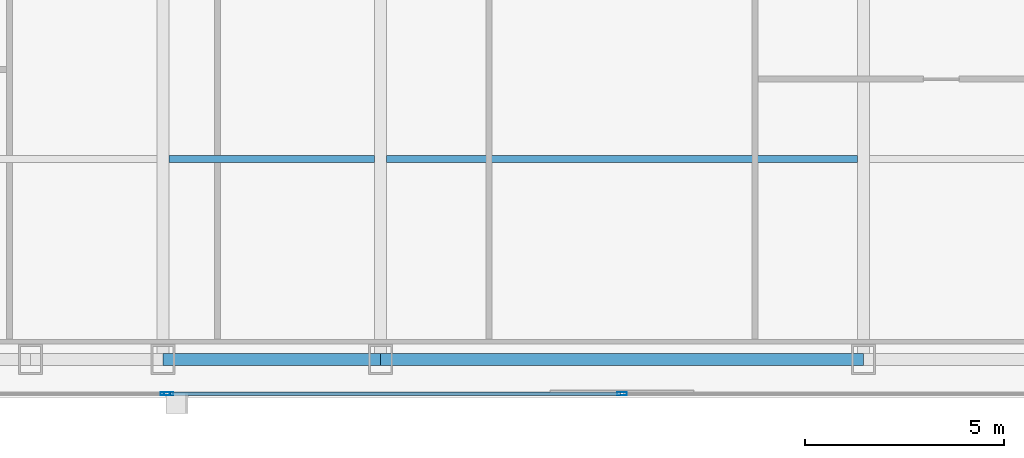
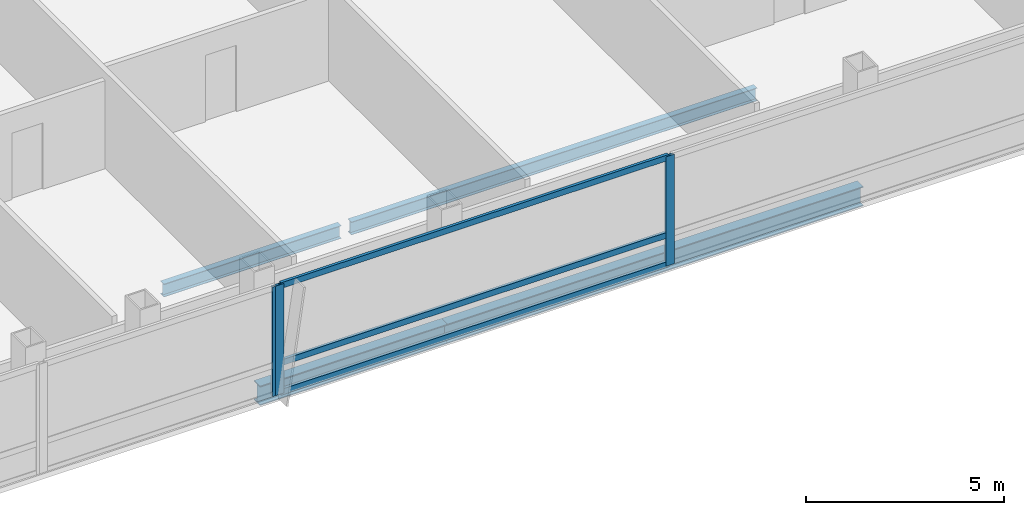
# One storey, part 8 of 30: 6 members, 4 beams, 2 elements without a shape of their own.
"""IFC4 building model written with IfcOpenShell, lengths in metres."""

from ifc_helpers import new_model, si_unit, direction, frame, origin, origin_2d, place, context, subcontext, project, spatial, hollow_rectangle, i_section, extrude, material, material_profile, profile_set, type_object, element, aggregate, save


model = new_model("IFC4")

# Units and contexts
model_context = context("Model", 3, precision=1e-05, world=origin(), true_north=direction((0.0, 1.0)))
body_context = subcontext(model_context, "Body", "Model", "MODEL_VIEW")
ifc_project = project(units=[si_unit("LENGTHUNIT", "METRE"), si_unit("AREAUNIT", "SQUARE_METRE"), si_unit("VOLUMEUNIT", "CUBIC_METRE"), si_unit("PLANEANGLEUNIT", "RADIAN"), si_unit("MASSUNIT", "GRAM", prefix="KILO")], contexts=[model_context])

# Site, building, storey
site_placement = place(None, origin())
site = spatial("IfcSite", under=ifc_project, at=site_placement, CompositionType="ELEMENT")
building_placement = place(site_placement, origin())
building = spatial("IfcBuilding", under=site, at=building_placement, Name="Khoronbel Lancet Exchange", CompositionType="ELEMENT")
storey_placement = place(building_placement, frame((0.0, 0.0, 253.39990234375)))
storey = spatial("IfcBuildingStorey", under=building, at=storey_placement, Name="L65", CompositionType="ELEMENT", Elevation=253.39990234375)

# Beams
ifc_material_1 = material(Name="Steel S355", Category="steel")
ifc_material_profile_1 = material_profile(ifc_material_1, i_section(OverallWidth=0.179931640625, OverallDepth=0.39990234375, WebThickness=0.008544921875, FlangeThickness=0.013427734375, at=origin_2d()), Name="IPE 400")
ifc_profile_set_1 = profile_set([ifc_material_profile_1], Name="Steel S355")
beam_type_1 = type_object("IfcBeamType", Name="BM-BJ5", PredefinedType="JOIST", material=ifc_profile_set_1)
beam_1_placement = place(storey_placement, frame((25.050048828125, 15.199951171875, -0.35986328125), z_axis=(1.0, 0.0, 0.0), x_axis=(0.0, 1.0, 0.0)))
element("IfcBeam", 1, at=beam_1_placement, inside=storey, type_object=beam_type_1, Name="Level L65 secondary composite joist J02", PredefinedType="JOIST", context=body_context, shape_type="SweptSolid", body=[
    extrude(i_section(OverallWidth=0.179931640625, OverallDepth=0.39990234375, WebThickness=0.008544921875, FlangeThickness=0.013427734375, at=origin_2d()), origin(), (0.0, 0.0, 1.0), 5.175048828125),
])
beam_2_placement = place(storey_placement, frame((30.52490234375, 15.199951171875, -0.35986328125), z_axis=(1.0, 0.0, 0.0), x_axis=(0.0, 1.0, 0.0)))
element("IfcBeam", 2, at=beam_2_placement, inside=storey, type_object=beam_type_1, Name="Level L65 secondary composite joist J03", PredefinedType="JOIST", context=body_context, shape_type="SweptSolid", body=[
    extrude(i_section(OverallWidth=0.179931640625, OverallDepth=0.39990234375, WebThickness=0.008544921875, FlangeThickness=0.013427734375, at=origin_2d()), origin(), (0.0, 0.0, 1.0), 11.85009765625),
])
ifc_material_profile_2 = material_profile(ifc_material_1, i_section(OverallWidth=0.300048828125, OverallDepth=0.60009765625, WebThickness=0.015380859375, FlangeThickness=0.030029296875, at=origin_2d()), Name="HEB 600")
ifc_profile_set_2 = profile_set([ifc_material_profile_2], Name="Steel S355")
beam_type_2 = type_object("IfcBeamType", Name="BM-BSP2", PredefinedType="SPANDREL", material=ifc_profile_set_2)
beam_3_placement = place(storey_placement, frame((24.89990234375, 10.14990234375, -0.4599609375), z_axis=(1.0, 0.0, 0.0), x_axis=(0.0, 1.0, 0.0)))
element("IfcBeam", 3, at=beam_3_placement, inside=storey, type_object=beam_type_2, Name="Level L65 perimeter spandrel beam SP04", PredefinedType="SPANDREL", context=body_context, shape_type="SweptSolid", body=[
    extrude(i_section(OverallWidth=0.300048828125, OverallDepth=0.60009765625, WebThickness=0.015380859375, FlangeThickness=0.030029296875, at=origin_2d()), origin(), (0.0, 0.0, 1.0), 5.47509765625),
])
beam_4_placement = place(storey_placement, frame((30.375, 10.14990234375, -0.4599609375), z_axis=(1.0, 0.0, 0.0), x_axis=(0.0, 1.0, 0.0)))
element("IfcBeam", 4, at=beam_4_placement, inside=storey, type_object=beam_type_2, Name="Level L65 perimeter spandrel beam SP05", PredefinedType="SPANDREL", context=body_context, shape_type="SweptSolid", body=[
    extrude(i_section(OverallWidth=0.300048828125, OverallDepth=0.60009765625, WebThickness=0.015380859375, FlangeThickness=0.030029296875, at=origin_2d()), origin(), (0.0, 0.0, 1.0), 12.14990234375),
])

# Curtain wall, member
ifc_material_2 = material(Name="Low-E Solar Control Insulating Glass", Category="glass")
curtain_wall_type = type_object("IfcCurtainWallType", Name="CW-3", PredefinedType="NOTDEFINED", material=ifc_material_2)
curtain_wall_1_placement = place(storey_placement, origin())
curtain_wall_1 = element("IfcCurtainWall", 5, at=curtain_wall_1_placement, inside=storey, type_object=curtain_wall_type, Name="Unitised curtain wall CW-L65-SWB", PredefinedType="NOTDEFINED")
ifc_material_3 = material(Name="Bronze-Anodised Aluminium 6063-T6", Category="aluminium")
ifc_material_profile_3 = material_profile(ifc_material_3, hollow_rectangle(XDim=0.0849609375, YDim=0.239990234375, WallThickness=0.006103515625, at=origin_2d()), Name="ALU MULLION 85x240")
ifc_profile_set_3 = profile_set([ifc_material_profile_3], Name="Bronze-Anodised Aluminium 6063-T6")
member_type_1 = type_object("IfcMemberType", Name="MEM-CWM1", PredefinedType="MULLION", material=ifc_profile_set_3)
member_1_placement = place(storey_placement, frame((24.95751953125, 9.2900390625, 0.0), z_axis=(0.0, 0.0, 1.0), x_axis=(0.0, 1.0, 0.0)))
member_1 = element("IfcMember", 6, at=member_1_placement, type_object=member_type_1, Name="CW3 mullion 2", PredefinedType="MULLION", context=body_context, shape_type="SweptSolid", body=[
    extrude(hollow_rectangle(XDim=0.0849609375, YDim=0.239990234375, WallThickness=0.006103515625, at=origin_2d()), origin(), (0.0, 0.0, 1.0), 3.380126953125),
])
aggregate(curtain_wall_1, [member_1])

# Curtain wall, members
curtain_wall_2_placement = place(storey_placement, origin())
curtain_wall_2 = element("IfcCurtainWall", 7, at=curtain_wall_2_placement, inside=storey, type_object=curtain_wall_type, Name="Unitised curtain wall CW-L65-SCV", PredefinedType="NOTDEFINED")
member_2_placement = place(storey_placement, frame((25.04248046875, 9.2900390625, 0.0), z_axis=(0.0, 0.0, 1.0), x_axis=(0.0, 1.0, 0.0)))
member_2 = element("IfcMember", 8, at=member_2_placement, type_object=member_type_1, Name="CW3 mullion 1", PredefinedType="MULLION", context=body_context, shape_type="SweptSolid", body=[
    extrude(hollow_rectangle(XDim=0.0849609375, YDim=0.239990234375, WallThickness=0.006103515625, at=origin_2d()), origin(), (0.0, 0.0, 1.0), 3.380126953125),
])
member_3_placement = place(storey_placement, frame((36.449951171875, 9.2900390625, 0.0), z_axis=(0.0, 0.0, 1.0), x_axis=(0.0, 1.0, 0.0)))
member_3 = element("IfcMember", 9, at=member_3_placement, type_object=member_type_1, Name="CW3 mullion 2", PredefinedType="MULLION", context=body_context, shape_type="SweptSolid", body=[
    extrude(hollow_rectangle(XDim=0.0849609375, YDim=0.239990234375, WallThickness=0.006103515625, at=origin_2d()), origin(), (0.0, 0.0, 1.0), 3.380126953125),
])
ifc_material_profile_4 = material_profile(ifc_material_3, hollow_rectangle(XDim=0.0849609375, YDim=0.179931640625, WallThickness=0.0048828125, at=origin_2d()), Name="ALU TRANSOM 85x180")
ifc_profile_set_4 = profile_set([ifc_material_profile_4], Name="Bronze-Anodised Aluminium 6063-T6")
member_type_2 = type_object("IfcMemberType", Name="MEM-CWT1", PredefinedType="USERDEFINED", material=ifc_profile_set_4)
member_4_placement = place(storey_placement, frame((25.0849609375, 9.2900390625, 0.04248046875), z_axis=(1.0, 0.0, 0.0), x_axis=(0.0, 1.0, 0.0)))
member_4 = element("IfcMember", 10, at=member_4_placement, type_object=member_type_2, Name="CW3 transom 1.1", ObjectType="TRANSOM", PredefinedType="USERDEFINED", context=body_context, shape_type="SweptSolid", body=[
    extrude(hollow_rectangle(XDim=0.0849609375, YDim=0.179931640625, WallThickness=0.0048828125, at=origin_2d()), origin(), (0.0, 0.0, 1.0), 11.322509765625),
])
member_5_placement = place(storey_placement, frame((25.0849609375, 9.2900390625, 0.9501953125), z_axis=(1.0, 0.0, 0.0), x_axis=(0.0, 1.0, 0.0)))
member_5 = element("IfcMember", 11, at=member_5_placement, type_object=member_type_2, Name="CW3 transom 1.2", ObjectType="TRANSOM", PredefinedType="USERDEFINED", context=body_context, shape_type="SweptSolid", body=[
    extrude(hollow_rectangle(XDim=0.0849609375, YDim=0.179931640625, WallThickness=0.0048828125, at=origin_2d()), origin(), (0.0, 0.0, 1.0), 11.322509765625),
])
member_6_placement = place(storey_placement, frame((25.0849609375, 9.2900390625, 3.337646484375), z_axis=(1.0, 0.0, 0.0), x_axis=(0.0, 1.0, 0.0)))
member_6 = element("IfcMember", 12, at=member_6_placement, type_object=member_type_2, Name="CW3 transom 1.3", ObjectType="TRANSOM", PredefinedType="USERDEFINED", context=body_context, shape_type="SweptSolid", body=[
    extrude(hollow_rectangle(XDim=0.0849609375, YDim=0.179931640625, WallThickness=0.0048828125, at=origin_2d()), origin(), (0.0, 0.0, 1.0), 11.322509765625),
])
aggregate(curtain_wall_2, [member_2, member_3, member_4, member_5, member_6])

save(model, "model.ifc")
